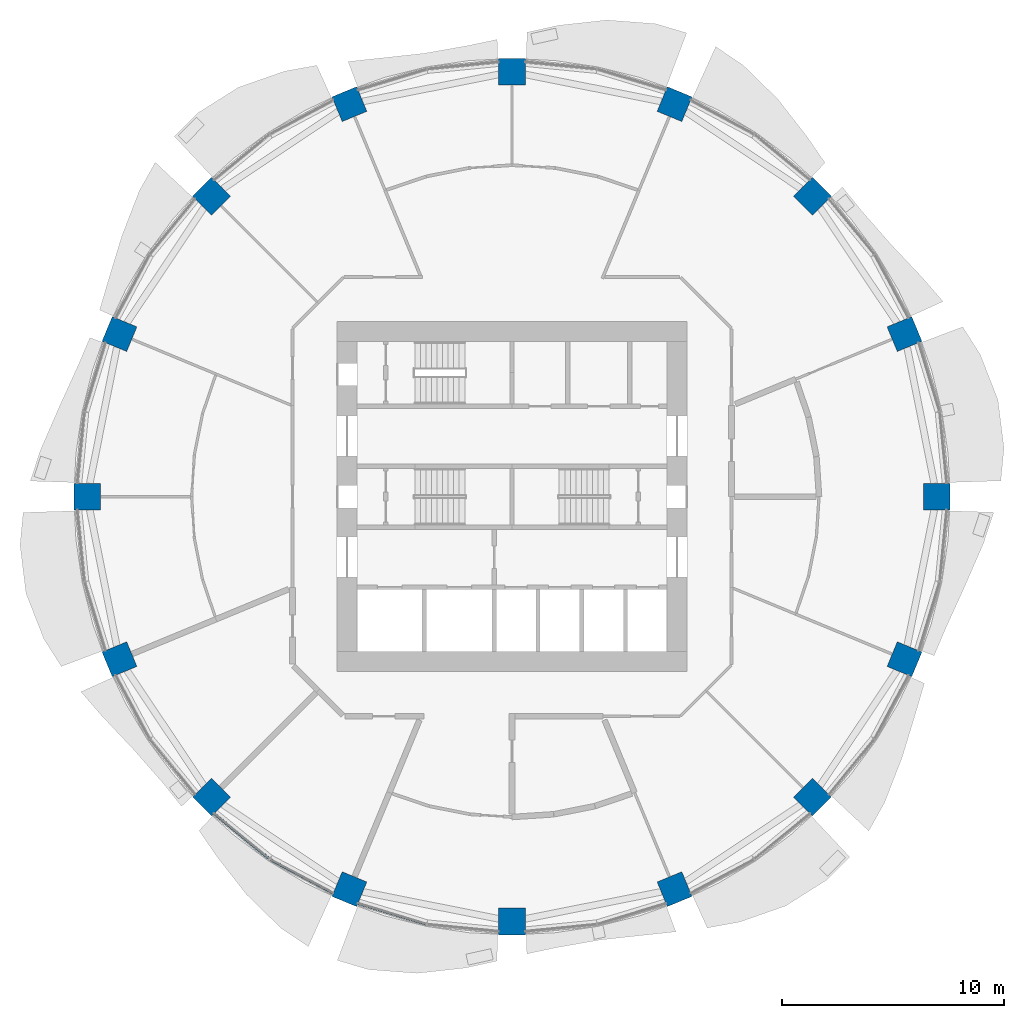
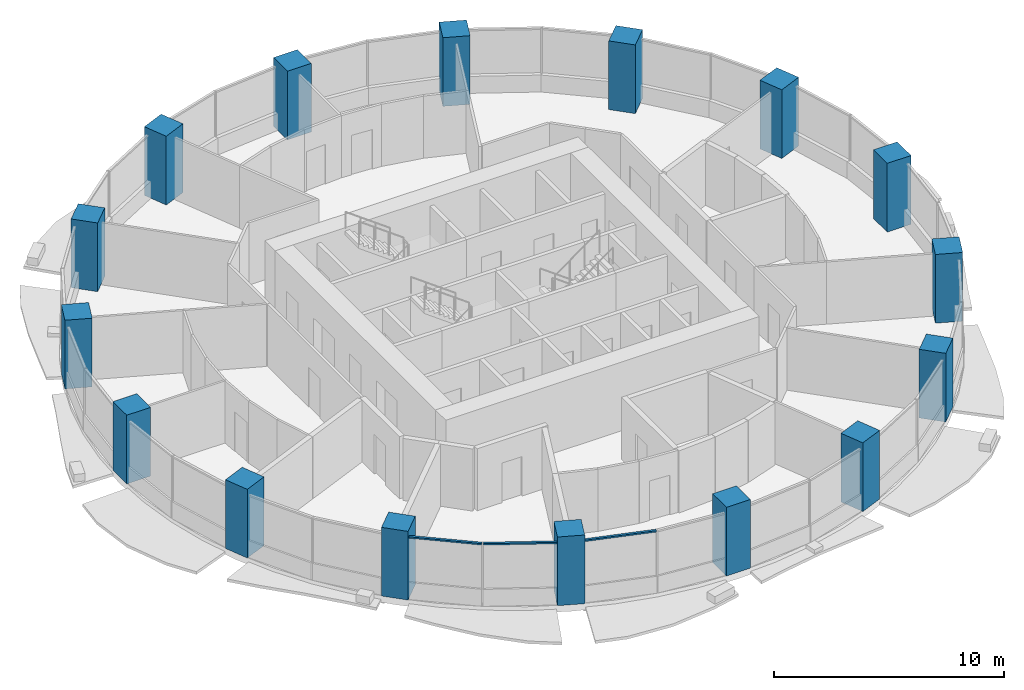
# One storey, part 1 of 15: 16 columns, 3 members, 2 elements without a shape of their own.
"""IFC4 building model written with IfcOpenShell, lengths in metres."""

from ifc_helpers import new_model, si_unit, direction, frame, origin, origin_2d, place, context, subcontext, project, spatial, rectangle, extrude, material, material_profile, profile_set, type_object, element, aggregate, save


model = new_model("IFC4")

# Units and contexts
model_context = context("Model", 3, precision=1e-05, world=origin(), true_north=direction((0.0, 1.0)))
body_context = subcontext(model_context, "Body", "Model", "MODEL_VIEW")
ifc_project = project(units=[si_unit("LENGTHUNIT", "METRE"), si_unit("AREAUNIT", "SQUARE_METRE"), si_unit("VOLUMEUNIT", "CUBIC_METRE"), si_unit("PLANEANGLEUNIT", "RADIAN"), si_unit("MASSUNIT", "GRAM", prefix="KILO")], contexts=[model_context])

# Site, building, storey
site_placement = place(None, origin())
site = spatial("IfcSite", under=ifc_project, at=site_placement, CompositionType="ELEMENT")
building_placement = place(site_placement, origin())
building = spatial("IfcBuilding", under=site, at=building_placement, Name="Polderwave Tower", CompositionType="ELEMENT")
storey_placement = place(building_placement, frame((0.0, 0.0, 44.449951171875)))
storey = spatial("IfcBuildingStorey", under=building, at=storey_placement, Name="L11", CompositionType="ELEMENT", Elevation=44.449951171875)

# Columns
ifc_material_1 = material(Name="Concrete C70/85", Category="concrete")
ifc_material_profile_1 = material_profile(ifc_material_1, rectangle(XDim=1.199951171875, YDim=1.199951171875, at=origin_2d()), Name="RC 1200x1200")
ifc_profile_set_1 = profile_set([ifc_material_profile_1], Name="Concrete C70/85")
column_type = type_object("IfcColumnType", Name="RC COLUMN 1200x1200 C70/85", PredefinedType="COLUMN", material=ifc_profile_set_1)
for number, where, z_axis, x_axis, name in (
    (1, (19.110107421875, 0.0, 0.0), (0.0, 0.0, 1.0), (1.0, 0.0, 0.0), "Ring column 01"),
    (2, (17.6552734375, 7.31298828125, 0.0), (0.0, 0.0, 1.0), (0.923879532511, 0.382683432365, 0.0), "Ring column 02"),
    (3, (13.5126953125, 13.5126953125, 0.0), (0.0, 0.0, 1.0), (0.707106781187, 0.707106781187, 0.0), "Ring column 03"),
    (4, (7.31298828125, 17.6552734375, 0.0), (0.0, 0.0, 1.0), (0.382683432365, 0.923879532511, 0.0), "Ring column 04"),
    (5, (0.0, 19.110107421875, 0.0), (0.0, 0.0, 1.0), (0.0, 1.0, 0.0), "Ring column 05"),
    (6, (-7.31298828125, 17.6552734375, 0.0), (0.0, 0.0, 1.0), (-0.382683432365, 0.923879532511, 0.0), "Ring column 06"),
    (7, (-13.5126953125, 13.5126953125, 0.0), (0.0, 0.0, 1.0), (-0.707106781187, 0.707106781187, 0.0), "Ring column 07"),
    (8, (-17.6552734375, 7.31298828125, 0.0), (0.0, 0.0, 1.0), (-0.923879532511, 0.382683432365, 0.0), "Ring column 08"),
    (9, (-19.110107421875, 0.0, 0.0), (0.0, 0.0, 1.0), (-1.0, 0.0, 0.0), "Ring column 09"),
    (10, (-17.6552734375, -7.31298828125, 0.0), (0.0, 0.0, 1.0), (-0.923879532511, -0.382683432365, 0.0), "Ring column 10"),
    (11, (-13.5126953125, -13.5126953125, 0.0), (0.0, 0.0, 1.0), (-0.707106781187, -0.707106781187, 0.0), "Ring column 11"),
    (12, (-7.31298828125, -17.6552734375, 0.0), (0.0, 0.0, 1.0), (-0.382683432365, -0.923879532511, 0.0), "Ring column 12"),
    (13, (0.0, -19.110107421875, 0.0), (0.0, 0.0, 1.0), (0.0, -1.0, 0.0), "Ring column 13"),
    (14, (7.31298828125, -17.6552734375, 0.0), (0.0, 0.0, 1.0), (0.382683432365, -0.923879532511, 0.0), "Ring column 14"),
    (15, (13.5126953125, -13.5126953125, 0.0), (0.0, 0.0, 1.0), (0.707106781187, -0.707106781187, 0.0), "Ring column 15"),
    (16, (17.6552734375, -7.31298828125, 0.0), (0.0, 0.0, 1.0), (0.923879532511, -0.382683432365, 0.0), "Ring column 16"),
):
    element("IfcColumn", number, at=place(storey_placement, frame(where, z_axis=z_axis, x_axis=x_axis)), inside=storey, type_object=column_type, Name=name, PredefinedType="COLUMN", context=body_context, shape_type="SweptSolid", body=[
        extrude(rectangle(XDim=1.199951171875, YDim=1.199951171875, at=origin_2d()), origin(), (0.0, 0.0, 1.0), 3.650146484375),
    ])

# Curtain wall, members
ifc_material_2 = material(Name="Aluminium 6063-T6 and glass", Category="aluminium")
curtain_wall_type = type_object("IfcCurtainWallType", Name="Growing floor ribbon glazing wall", PredefinedType="NOTDEFINED", material=ifc_material_2)
curtain_wall_1_placement = place(storey_placement, origin())
curtain_wall_1 = element("IfcCurtainWall", 17, at=curtain_wall_1_placement, inside=storey, type_object=curtain_wall_type, Name="CW2 L11 10", PredefinedType="NOTDEFINED")
ifc_material_3 = material(Name="Aluminium 6063-T6", Category="aluminium")
ifc_material_profile_2 = material_profile(ifc_material_3, rectangle(XDim=0.1201171875, YDim=0.080078125, at=origin_2d()), Name="AL 80x120")
ifc_profile_set_2 = profile_set([ifc_material_profile_2], Name="Aluminium 6063-T6")
member_type = type_object("IfcMemberType", Name="Growing floor ribbon glazing transom 80x120", PredefinedType="USERDEFINED", material=ifc_profile_set_2)
member_1_placement = place(storey_placement, frame((-13.39990234375, -14.2490234375, 3.260009765625), z_axis=(0.772980616228, -0.634429639074, 0.0), x_axis=(0.634429639074, 0.772980616228, 0.0)))
member_1 = element("IfcMember", 18, at=member_1_placement, type_object=member_type, Name="CW2 transom 1", ObjectType="TRANSOM", PredefinedType="USERDEFINED", context=body_context, shape_type="SweptSolid", body=[
    extrude(rectangle(XDim=0.1201171875, YDim=0.080078125, at=origin_2d()), origin(), (0.0, 0.0, 1.0), 3.21044921875),
])
member_2_placement = place(storey_placement, frame((-10.868408203125, -16.319091796875, 3.260009765625), z_axis=(0.881933848072, -0.471373193578, 0.0), x_axis=(0.471373193578, 0.881933848072, 0.0)))
member_2 = element("IfcMember", 19, at=member_2_placement, type_object=member_type, Name="CW2 transom 2", ObjectType="TRANSOM", PredefinedType="USERDEFINED", context=body_context, shape_type="SweptSolid", body=[
    extrude(rectangle(XDim=0.1201171875, YDim=0.080078125, at=origin_2d()), origin(), (0.0, 0.0, 1.0), 3.211669921875),
])
aggregate(curtain_wall_1, [member_1, member_2])

# Curtain wall, member
curtain_wall_2_placement = place(storey_placement, origin())
curtain_wall_2 = element("IfcCurtainWall", 20, at=curtain_wall_2_placement, inside=storey, type_object=curtain_wall_type, Name="CW2 L11 11", PredefinedType="NOTDEFINED")
member_3_placement = place(storey_placement, frame((-6.927001953125, -18.2919921875, 3.260009765625), z_axis=(0.956904728961, -0.290402031143, 0.0), x_axis=(0.290402031143, 0.956904728961, 0.0)))
member_3 = element("IfcMember", 21, at=member_3_placement, type_object=member_type, Name="CW2 transom 1", ObjectType="TRANSOM", PredefinedType="USERDEFINED", context=body_context, shape_type="SweptSolid", body=[
    extrude(rectangle(XDim=0.1201171875, YDim=0.080078125, at=origin_2d()), origin(), (0.0, 0.0, 1.0), 3.210693359375),
])
aggregate(curtain_wall_2, [member_3])

save(model, "model.ifc")
